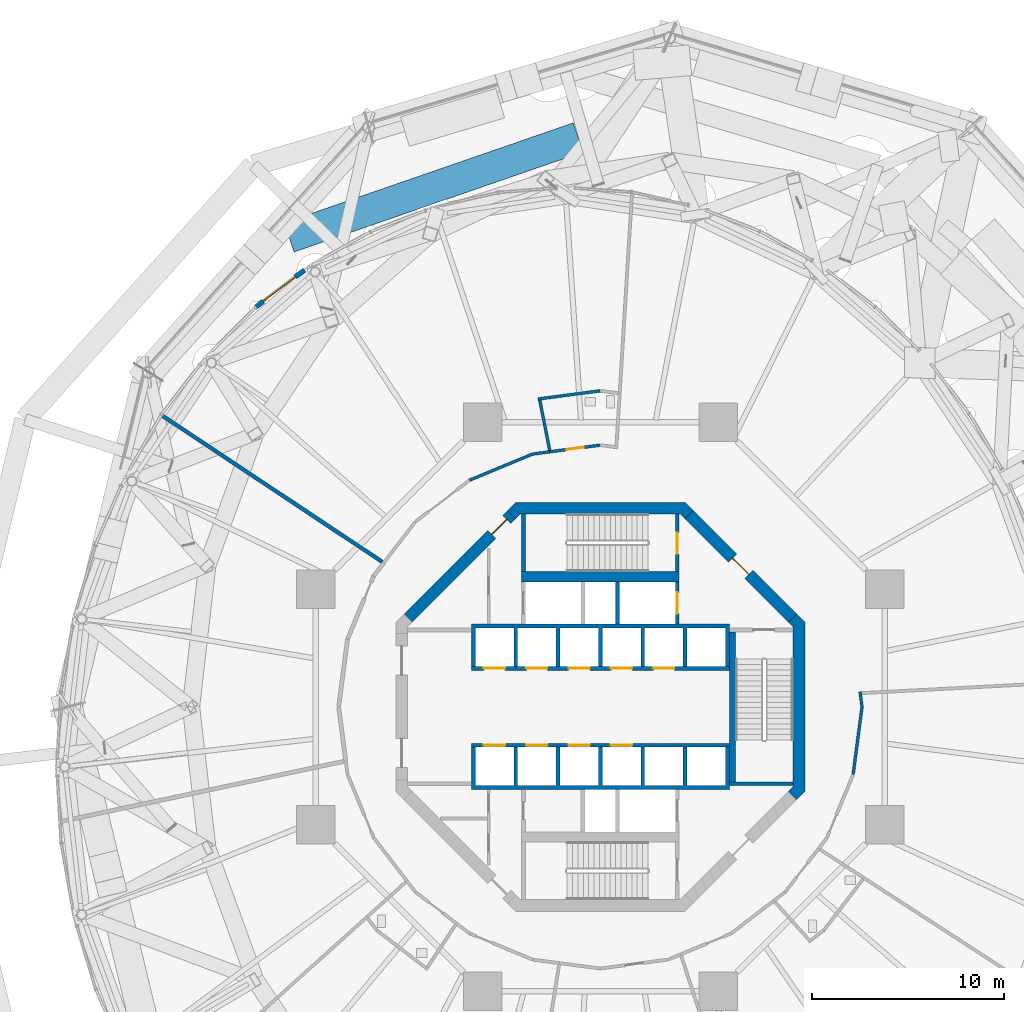
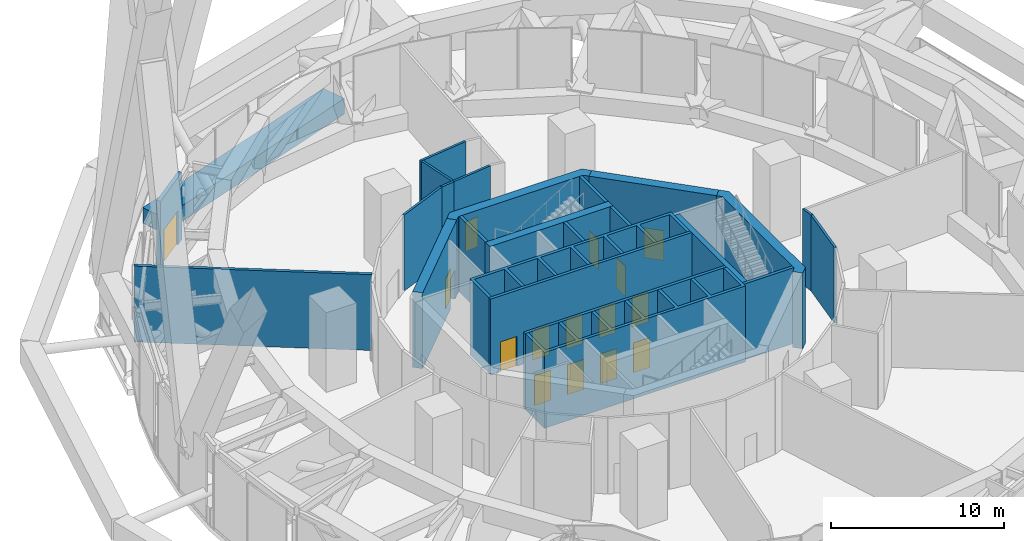
# One storey, part 39 of 49: 25 walls, 15 doors, 15 openings.
"""IFC4 building model written with IfcOpenShell, lengths in metres."""

from ifc_helpers import new_model, si_unit, direction, frame, frame_2d, origin, place, context, subcontext, project, spatial, polyline, rectangle, outline, extrude, material, layer, layer_set, type_object, element, fill, save


model = new_model("IFC4")

# Units and contexts
model_context = context("Model", 3, precision=1e-05, world=origin(), true_north=direction((0.0, 1.0)))
body_context = subcontext(model_context, "Body", "Model", "MODEL_VIEW")
ifc_project = project(units=[si_unit("LENGTHUNIT", "METRE"), si_unit("AREAUNIT", "SQUARE_METRE"), si_unit("VOLUMEUNIT", "CUBIC_METRE"), si_unit("PLANEANGLEUNIT", "RADIAN"), si_unit("MASSUNIT", "GRAM", prefix="KILO")], contexts=[model_context])

# Site, building, storey
site_placement = place(None, origin())
site = spatial("IfcSite", under=ifc_project, at=site_placement, CompositionType="ELEMENT")
building_placement = place(site_placement, origin())
building = spatial("IfcBuilding", under=site, at=building_placement, Name="Nagisa Residences", CompositionType="ELEMENT")
storey_placement = place(building_placement, frame((0.0, 0.0, 160.300048828125)))
storey = spatial("IfcBuildingStorey", under=building, at=storey_placement, Name="L40", CompositionType="ELEMENT", Elevation=160.300048828125)

# Wall, opening, door
ifc_material_1 = material(Name="Precast concrete C40/50", Category="concrete")
ifc_layer_1 = layer(ifc_material_1, 0.25)
ifc_layer_set_1 = layer_set([ifc_layer_1], Name="BALCONY DOOR WALL 250")
wall_type_1 = type_object("IfcWallType", Name="BALCONY DOOR WALL 250", PredefinedType="SOLIDWALL", material=ifc_layer_set_1)
wall_1_placement = place(storey_placement, frame((-17.908203125, 20.77783203125, 0.0), z_axis=(0.0, 0.0, 1.0), x_axis=(0.796015506154, 0.605276229471, 0.0)))
wall_1 = element("IfcWall", 1, at=wall_1_placement, inside=storey, type_object=wall_type_1, Name="wall:L40:bay16", PredefinedType="SOLIDWALL", context=body_context, shape_type="SweptSolid", body=[
    extrude(rectangle(XDim=3.175537109375, YDim=0.25, at=frame_2d((1.587890625, 0.0))), origin(), (0.0, 0.0, 1.0), 4.737060546875),
])
opening_1_placement = place(wall_1_placement, frame((0.48779296875, 0.0, 0.0)))
opening_1 = element("IfcOpeningElement", 2, at=opening_1_placement, cuts=wall_1, Name="Opening BD-L40-01", PredefinedType="OPENING", context=body_context, shape_type="SweptSolid", body=[
    extrude(rectangle(XDim=2.10009765625, YDim=2.39990234375, at=frame_2d((1.050048828125, 1.199951171875))), frame((0.0, 0.135009765625, 0.0), z_axis=(0.0, -1.0, 0.0), x_axis=(1.0, 0.0, 0.0)), (0.0, 0.0, 1.0), 0.27001953125),
])
ifc_material_2 = material(Name="Aluminium and clear glass", Category="aluminium")
door_type_1 = type_object("IfcDoorType", Name="BALCONY SLIDING DOOR 2100x2400", OperationType="SLIDING_TO_LEFT", PredefinedType="DOOR", material=ifc_material_2)
door_1_placement = place(opening_1_placement, origin())
door_1 = element("IfcDoor", 3, at=door_1_placement, inside=storey, type_object=door_type_1, Name="door:L40:bay16", OperationType="SLIDING_TO_LEFT", OverallHeight=2.39990234375, OverallWidth=2.10009765625, PredefinedType="DOOR", context=body_context, shape_type="SweptSolid", body=[
    extrude(rectangle(XDim=2.10009765625, YDim=2.39990234375, at=frame_2d((1.050048828125, 1.199951171875))), frame((0.0, 0.02490234375, 0.0), z_axis=(0.0, -1.0, 0.0), x_axis=(1.0, 0.0, 0.0)), (0.0, 0.0, 1.0), 0.050048828125),
])
fill(opening_1, door_1)

ifc_material_3 = material(Name="Concrete C60", Category="concrete")
ifc_layer_2 = layer(ifc_material_3, 0.60009765625)
ifc_layer_set_2 = layer_set([ifc_layer_2], Name="Core shear wall 600")
wall_type_2 = type_object("IfcWallType", Name="Core shear wall 600", PredefinedType="SHEAR", material=ifc_layer_set_2)
wall_2_placement = place(storey_placement, frame((9.98828125, 4.613037109375, 0.0), z_axis=(0.0, 0.0, 1.0), x_axis=(-0.707106781187, 0.707106781187, 0.0)))
wall_2 = element("IfcWall", 4, at=wall_2_placement, inside=storey, type_object=wall_type_2, Name="wall:L40:core:flat1", PredefinedType="SHEAR", context=body_context, shape_type="SweptSolid", body=[
    extrude(rectangle(XDim=7.601806640625, YDim=0.60009765625, at=frame_2d((3.80078125, 0.0))), origin(), (0.0, 0.0, 1.0), 5.33984375),
])
opening_2_placement = place(wall_2_placement, frame((3.200927734375, 0.0, 0.0)))
opening_2 = element("IfcOpeningElement", 5, at=opening_2_placement, cuts=wall_2, Name="Opening L40-C20", PredefinedType="OPENING", context=body_context, shape_type="SweptSolid", body=[
    extrude(rectangle(XDim=1.199951171875, YDim=2.10009765625, at=frame_2d((0.60009765625, 1.050048828125))), frame((0.0, 0.31005859375, 0.0), z_axis=(0.0, -1.0, 0.0), x_axis=(1.0, 0.0, 0.0)), (0.0, 0.0, 1.0), 0.6201171875),
])
ifc_material_4 = material(Name="Steel fire door", Category="steel")
door_type_2 = type_object("IfcDoorType", Name="Fire door EI60 1200x2100 single swing", OperationType="NOTDEFINED", PredefinedType="DOOR", material=ifc_material_4)
door_2_placement = place(opening_2_placement, origin())
door_2 = element("IfcDoor", 6, at=door_2_placement, inside=storey, type_object=door_type_2, Name="Firefighting lobby 1 door L40", OperationType="SINGLE_SWING_LEFT", OverallHeight=2.10009765625, OverallWidth=1.199951171875, PredefinedType="DOOR", context=body_context, shape_type="SweptSolid", body=[
    extrude(rectangle(XDim=1.199951171875, YDim=2.10009765625, at=frame_2d((0.60009765625, 1.050048828125))), frame((0.0, 0.02490234375, 0.0), z_axis=(0.0, -1.0, 0.0), x_axis=(1.0, 0.0, 0.0)), (0.0, 0.0, 1.0), 0.050048828125),
])
fill(opening_2, door_2)

wall_3_placement = place(storey_placement, frame((-4.613037109375, 9.98828125, 0.0), z_axis=(0.0, 0.0, 1.0), x_axis=(-0.707106781187, -0.707106781187, 0.0)))
wall_3 = element("IfcWall", 7, at=wall_3_placement, inside=storey, type_object=wall_type_2, Name="wall:L40:core:flat3", PredefinedType="SHEAR", context=body_context, shape_type="SweptSolid", body=[
    extrude(rectangle(XDim=7.601806640625, YDim=0.60009765625, at=frame_2d((3.80078125, 0.0))), origin(), (0.0, 0.0, 1.0), 5.33984375),
])
opening_3_placement = place(wall_3_placement, frame((0.350830078125, 0.0, 0.0)))
opening_3 = element("IfcOpeningElement", 8, at=opening_3_placement, cuts=wall_3, Name="Opening L40-C24", PredefinedType="OPENING", context=body_context, shape_type="SweptSolid", body=[
    extrude(rectangle(XDim=1.10009765625, YDim=2.10009765625, at=frame_2d((0.550048828125, 1.050048828125))), frame((0.0, 0.31005859375, 0.0), z_axis=(0.0, -1.0, 0.0), x_axis=(1.0, 0.0, 0.0)), (0.0, 0.0, 1.0), 0.6201171875),
])
ifc_material_5 = material(Name="Steel fire door", Category="steel")
door_type_3 = type_object("IfcDoorType", Name="Fire door EI60 1100x2100 single swing", OperationType="NOTDEFINED", PredefinedType="DOOR", material=ifc_material_5)
door_3_placement = place(opening_3_placement, origin())
door_3 = element("IfcDoor", 9, at=door_3_placement, inside=storey, type_object=door_type_3, Name="Service lobby door L40", OperationType="SINGLE_SWING_LEFT", OverallHeight=2.10009765625, OverallWidth=1.10009765625, PredefinedType="DOOR", context=body_context, shape_type="SweptSolid", body=[
    extrude(rectangle(XDim=1.10009765625, YDim=2.10009765625, at=frame_2d((0.550048828125, 1.050048828125))), frame((0.0, 0.02490234375, 0.0), z_axis=(0.0, -1.0, 0.0), x_axis=(1.0, 0.0, 0.0)), (0.0, 0.0, 1.0), 0.050048828125),
])
fill(opening_3, door_3)

# Walls
wall_4_placement = place(storey_placement, origin())
element("IfcWall", 10, at=wall_4_placement, inside=storey, type_object=wall_type_2, Name="wall:L40:core:flat2", PredefinedType="SHEAR", context=body_context, shape_type="SweptSolid", body=[
    extrude(outline(polyline([(-4.15234375, 10.024658203125), (-4.40087890625, 9.776123046875), (-4.8251953125, 10.200439453125), (-4.40087890625, 10.62451171875), (4.40087890625, 10.62451171875), (4.8251953125, 10.200439453125), (4.40087890625, 9.776123046875), (4.15234375, 10.024658203125), (-4.15234375, 10.024658203125)])), origin(), (0.0, 0.0, 1.0), 5.33984375),
])
wall_5_placement = place(storey_placement, origin())
element("IfcWall", 11, at=wall_5_placement, inside=storey, type_object=wall_type_2, Name="wall:L40:core:flat0", PredefinedType="SHEAR", context=body_context, shape_type="SweptSolid", body=[
    extrude(outline(polyline([(9.776123046875, -4.40087890625), (10.024658203125, -4.15234375), (10.024658203125, -3.801025390625), (10.024658203125, 4.15234375), (9.776123046875, 4.40087890625), (10.200439453125, 4.8251953125), (10.62451171875, 4.40087890625), (10.62451171875, -4.40087890625), (10.200439453125, -4.8251953125), (9.776123046875, -4.40087890625)])), origin(), (0.0, 0.0, 1.0), 5.33984375),
])

# Wall, opening, door
ifc_material_6 = material(Name="Concrete C60", Category="concrete")
ifc_layer_3 = layer(ifc_material_6, 0.199951171875)
ifc_layer_set_3 = layer_set([ifc_layer_3], Name="Lift shaft wall 200")
wall_type_3 = type_object("IfcWallType", Name="Lift shaft wall 200", PredefinedType="SOLIDWALL", material=ifc_layer_set_3)
wall_6_placement = place(storey_placement, frame((4.0, 4.300048828125, 0.0), z_axis=(0.0, 0.0, 1.0), x_axis=(0.0, 1.0, 0.0)))
wall_6 = element("IfcWall", 12, at=wall_6_placement, inside=storey, type_object=wall_type_3, Name="wall:L40:Nb3", PredefinedType="SOLIDWALL", context=body_context, shape_type="SweptSolid", body=[
    extrude(rectangle(XDim=2.199951171875, YDim=0.199951171875, at=frame_2d((1.10009765625, 0.0))), origin(), (0.0, 0.0, 1.0), 5.33984375),
])
opening_4_placement = place(wall_6_placement, frame((0.550048828125, 0.0, 0.0)))
opening_4 = element("IfcOpeningElement", 13, at=opening_4_placement, cuts=wall_6, Name="Opening L40-C10", PredefinedType="OPENING", context=body_context, shape_type="SweptSolid", body=[
    extrude(rectangle(XDim=1.10009765625, YDim=2.10009765625, at=frame_2d((0.550048828125, 1.050048828125))), frame((0.0, 0.10986328125, 0.0), z_axis=(0.0, -1.0, 0.0), x_axis=(1.0, 0.0, 0.0)), (0.0, 0.0, 1.0), 0.219970703125),
])
ifc_material_7 = material(Name="Stainless steel", Category="steel")
door_type_4 = type_object("IfcDoorType", Name="Lift landing door 1100x2100", OperationType="DOUBLE_DOOR_SLIDING", PredefinedType="DOOR", material=ifc_material_7)
door_4_placement = place(opening_4_placement, origin())
door_4 = element("IfcDoor", 14, at=door_4_placement, inside=storey, type_object=door_type_4, Name="Landing door FL1 L40", OperationType="DOUBLE_DOOR_SLIDING", OverallHeight=2.10009765625, OverallWidth=1.10009765625, PredefinedType="DOOR", context=body_context, shape_type="SweptSolid", body=[
    extrude(rectangle(XDim=1.10009765625, YDim=2.10009765625, at=frame_2d((0.550048828125, 1.050048828125))), frame((0.0, 0.02490234375, 0.0), z_axis=(0.0, -1.0, 0.0), x_axis=(1.0, 0.0, 0.0)), (0.0, 0.0, 1.0), 0.050048828125),
])
fill(opening_4, door_4)

# Wall, openings, doors
wall_7_placement = place(storey_placement, frame((-6.699951171875, 2.0, 0.0), z_axis=(0.0, 0.0, 1.0), x_axis=(1.0, 0.0, 0.0)))
wall_7 = element("IfcWall", 15, at=wall_7_placement, inside=storey, type_object=wall_type_3, Name="wall:L40:Nfront", PredefinedType="SOLIDWALL", context=body_context, shape_type="SweptSolid", body=[
    extrude(rectangle(XDim=13.39990234375, YDim=0.199951171875, at=frame_2d((6.699951171875, 0.0))), origin(), (0.0, 0.0, 1.0), 5.33984375),
])
opening_5_placement = place(wall_7_placement, frame((0.64990234375, 0.0, 0.0)))
opening_5 = element("IfcOpeningElement", 16, at=opening_5_placement, cuts=wall_7, Name="Opening L40-C01", PredefinedType="OPENING", context=body_context, shape_type="SweptSolid", body=[
    extrude(rectangle(XDim=1.10009765625, YDim=2.10009765625, at=frame_2d((0.550048828125, 1.050048828125))), frame((0.0, 0.10986328125, 0.0), z_axis=(0.0, -1.0, 0.0), x_axis=(1.0, 0.0, 0.0)), (0.0, 0.0, 1.0), 0.219970703125),
])
opening_6_placement = place(wall_7_placement, frame((2.85009765625, 0.0, 0.0)))
opening_6 = element("IfcOpeningElement", 17, at=opening_6_placement, cuts=wall_7, Name="Opening L40-C02", PredefinedType="OPENING", context=body_context, shape_type="SweptSolid", body=[
    extrude(rectangle(XDim=1.10009765625, YDim=2.10009765625, at=frame_2d((0.550048828125, 1.050048828125))), frame((0.0, 0.10986328125, 0.0), z_axis=(0.0, -1.0, 0.0), x_axis=(1.0, 0.0, 0.0)), (0.0, 0.0, 1.0), 0.219970703125),
])
opening_7_placement = place(wall_7_placement, frame((5.050048828125, 0.0, 0.0)))
opening_7 = element("IfcOpeningElement", 18, at=opening_7_placement, cuts=wall_7, Name="Opening L40-C03", PredefinedType="OPENING", context=body_context, shape_type="SweptSolid", body=[
    extrude(rectangle(XDim=1.10009765625, YDim=2.10009765625, at=frame_2d((0.550048828125, 1.050048828125))), frame((0.0, 0.10986328125, 0.0), z_axis=(0.0, -1.0, 0.0), x_axis=(1.0, 0.0, 0.0)), (0.0, 0.0, 1.0), 0.219970703125),
])
opening_8_placement = place(wall_7_placement, frame((7.25, 0.0, 0.0)))
opening_8 = element("IfcOpeningElement", 19, at=opening_8_placement, cuts=wall_7, Name="Opening L40-C04", PredefinedType="OPENING", context=body_context, shape_type="SweptSolid", body=[
    extrude(rectangle(XDim=1.10009765625, YDim=2.10009765625, at=frame_2d((0.550048828125, 1.050048828125))), frame((0.0, 0.10986328125, 0.0), z_axis=(0.0, -1.0, 0.0), x_axis=(1.0, 0.0, 0.0)), (0.0, 0.0, 1.0), 0.219970703125),
])
opening_9_placement = place(wall_7_placement, frame((9.449951171875, 0.0, 0.0)))
opening_9 = element("IfcOpeningElement", 20, at=opening_9_placement, cuts=wall_7, Name="Opening L40-C05", PredefinedType="OPENING", context=body_context, shape_type="SweptSolid", body=[
    extrude(rectangle(XDim=1.10009765625, YDim=2.10009765625, at=frame_2d((0.550048828125, 1.050048828125))), frame((0.0, 0.10986328125, 0.0), z_axis=(0.0, -1.0, 0.0), x_axis=(1.0, 0.0, 0.0)), (0.0, 0.0, 1.0), 0.219970703125),
])
door_5_placement = place(opening_5_placement, origin())
door_5 = element("IfcDoor", 21, at=door_5_placement, inside=storey, type_object=door_type_4, Name="Landing door A1 L40", OperationType="DOUBLE_DOOR_SLIDING", OverallHeight=2.10009765625, OverallWidth=1.10009765625, PredefinedType="DOOR", context=body_context, shape_type="SweptSolid", body=[
    extrude(rectangle(XDim=1.10009765625, YDim=2.10009765625, at=frame_2d((0.550048828125, 1.050048828125))), frame((0.0, 0.02490234375, 0.0), z_axis=(0.0, -1.0, 0.0), x_axis=(1.0, 0.0, 0.0)), (0.0, 0.0, 1.0), 0.050048828125),
])
fill(opening_5, door_5)
door_6_placement = place(opening_6_placement, origin())
door_6 = element("IfcDoor", 22, at=door_6_placement, inside=storey, type_object=door_type_4, Name="Landing door A2 L40", OperationType="DOUBLE_DOOR_SLIDING", OverallHeight=2.10009765625, OverallWidth=1.10009765625, PredefinedType="DOOR", context=body_context, shape_type="SweptSolid", body=[
    extrude(rectangle(XDim=1.10009765625, YDim=2.10009765625, at=frame_2d((0.550048828125, 1.050048828125))), frame((0.0, 0.02490234375, 0.0), z_axis=(0.0, -1.0, 0.0), x_axis=(1.0, 0.0, 0.0)), (0.0, 0.0, 1.0), 0.050048828125),
])
fill(opening_6, door_6)
door_7_placement = place(opening_7_placement, origin())
door_7 = element("IfcDoor", 23, at=door_7_placement, inside=storey, type_object=door_type_4, Name="Landing door A3 L40", OperationType="DOUBLE_DOOR_SLIDING", OverallHeight=2.10009765625, OverallWidth=1.10009765625, PredefinedType="DOOR", context=body_context, shape_type="SweptSolid", body=[
    extrude(rectangle(XDim=1.10009765625, YDim=2.10009765625, at=frame_2d((0.550048828125, 1.050048828125))), frame((0.0, 0.02490234375, 0.0), z_axis=(0.0, -1.0, 0.0), x_axis=(1.0, 0.0, 0.0)), (0.0, 0.0, 1.0), 0.050048828125),
])
fill(opening_7, door_7)
door_8_placement = place(opening_8_placement, origin())
door_8 = element("IfcDoor", 24, at=door_8_placement, inside=storey, type_object=door_type_4, Name="Landing door B1 L40", OperationType="DOUBLE_DOOR_SLIDING", OverallHeight=2.10009765625, OverallWidth=1.10009765625, PredefinedType="DOOR", context=body_context, shape_type="SweptSolid", body=[
    extrude(rectangle(XDim=1.10009765625, YDim=2.10009765625, at=frame_2d((0.550048828125, 1.050048828125))), frame((0.0, 0.02490234375, 0.0), z_axis=(0.0, -1.0, 0.0), x_axis=(1.0, 0.0, 0.0)), (0.0, 0.0, 1.0), 0.050048828125),
])
fill(opening_8, door_8)
door_9_placement = place(opening_9_placement, origin())
door_9 = element("IfcDoor", 25, at=door_9_placement, inside=storey, type_object=door_type_4, Name="Landing door B2 L40", OperationType="DOUBLE_DOOR_SLIDING", OverallHeight=2.10009765625, OverallWidth=1.10009765625, PredefinedType="DOOR", context=body_context, shape_type="SweptSolid", body=[
    extrude(rectangle(XDim=1.10009765625, YDim=2.10009765625, at=frame_2d((0.550048828125, 1.050048828125))), frame((0.0, 0.02490234375, 0.0), z_axis=(0.0, -1.0, 0.0), x_axis=(1.0, 0.0, 0.0)), (0.0, 0.0, 1.0), 0.050048828125),
])
fill(opening_9, door_9)

wall_8_placement = place(storey_placement, frame((-6.699951171875, -2.0, 0.0), z_axis=(0.0, 0.0, 1.0), x_axis=(1.0, 0.0, 0.0)))
wall_8 = element("IfcWall", 26, at=wall_8_placement, inside=storey, type_object=wall_type_3, Name="wall:L40:Sfront", PredefinedType="SOLIDWALL", context=body_context, shape_type="SweptSolid", body=[
    extrude(rectangle(XDim=13.39990234375, YDim=0.199951171875, at=frame_2d((6.699951171875, 0.0))), origin(), (0.0, 0.0, 1.0), 5.33984375),
])
opening_10_placement = place(wall_8_placement, frame((0.64990234375, 0.0, 0.0)))
opening_10 = element("IfcOpeningElement", 27, at=opening_10_placement, cuts=wall_8, Name="Opening L40-C06", PredefinedType="OPENING", context=body_context, shape_type="SweptSolid", body=[
    extrude(rectangle(XDim=1.10009765625, YDim=2.10009765625, at=frame_2d((0.550048828125, 1.050048828125))), frame((0.0, 0.10986328125, 0.0), z_axis=(0.0, -1.0, 0.0), x_axis=(1.0, 0.0, 0.0)), (0.0, 0.0, 1.0), 0.219970703125),
])
opening_11_placement = place(wall_8_placement, frame((2.85009765625, 0.0, 0.0)))
opening_11 = element("IfcOpeningElement", 28, at=opening_11_placement, cuts=wall_8, Name="Opening L40-C07", PredefinedType="OPENING", context=body_context, shape_type="SweptSolid", body=[
    extrude(rectangle(XDim=1.10009765625, YDim=2.10009765625, at=frame_2d((0.550048828125, 1.050048828125))), frame((0.0, 0.10986328125, 0.0), z_axis=(0.0, -1.0, 0.0), x_axis=(1.0, 0.0, 0.0)), (0.0, 0.0, 1.0), 0.219970703125),
])
opening_12_placement = place(wall_8_placement, frame((5.050048828125, 0.0, 0.0)))
opening_12 = element("IfcOpeningElement", 29, at=opening_12_placement, cuts=wall_8, Name="Opening L40-C08", PredefinedType="OPENING", context=body_context, shape_type="SweptSolid", body=[
    extrude(rectangle(XDim=1.10009765625, YDim=2.10009765625, at=frame_2d((0.550048828125, 1.050048828125))), frame((0.0, 0.10986328125, 0.0), z_axis=(0.0, -1.0, 0.0), x_axis=(1.0, 0.0, 0.0)), (0.0, 0.0, 1.0), 0.219970703125),
])
opening_13_placement = place(wall_8_placement, frame((7.25, 0.0, 0.0)))
opening_13 = element("IfcOpeningElement", 30, at=opening_13_placement, cuts=wall_8, Name="Opening L40-C09", PredefinedType="OPENING", context=body_context, shape_type="SweptSolid", body=[
    extrude(rectangle(XDim=1.10009765625, YDim=2.10009765625, at=frame_2d((0.550048828125, 1.050048828125))), frame((0.0, 0.10986328125, 0.0), z_axis=(0.0, -1.0, 0.0), x_axis=(1.0, 0.0, 0.0)), (0.0, 0.0, 1.0), 0.219970703125),
])
door_10_placement = place(opening_10_placement, origin())
door_10 = element("IfcDoor", 31, at=door_10_placement, inside=storey, type_object=door_type_4, Name="Landing door A4 L40", OperationType="DOUBLE_DOOR_SLIDING", OverallHeight=2.10009765625, OverallWidth=1.10009765625, PredefinedType="DOOR", context=body_context, shape_type="SweptSolid", body=[
    extrude(rectangle(XDim=1.10009765625, YDim=2.10009765625, at=frame_2d((0.550048828125, 1.050048828125))), frame((0.0, 0.02490234375, 0.0), z_axis=(0.0, -1.0, 0.0), x_axis=(1.0, 0.0, 0.0)), (0.0, 0.0, 1.0), 0.050048828125),
])
fill(opening_10, door_10)
door_11_placement = place(opening_11_placement, origin())
door_11 = element("IfcDoor", 32, at=door_11_placement, inside=storey, type_object=door_type_4, Name="Landing door A5 L40", OperationType="DOUBLE_DOOR_SLIDING", OverallHeight=2.10009765625, OverallWidth=1.10009765625, PredefinedType="DOOR", context=body_context, shape_type="SweptSolid", body=[
    extrude(rectangle(XDim=1.10009765625, YDim=2.10009765625, at=frame_2d((0.550048828125, 1.050048828125))), frame((0.0, 0.02490234375, 0.0), z_axis=(0.0, -1.0, 0.0), x_axis=(1.0, 0.0, 0.0)), (0.0, 0.0, 1.0), 0.050048828125),
])
fill(opening_11, door_11)
door_12_placement = place(opening_12_placement, origin())
door_12 = element("IfcDoor", 33, at=door_12_placement, inside=storey, type_object=door_type_4, Name="Landing door B3 L40", OperationType="DOUBLE_DOOR_SLIDING", OverallHeight=2.10009765625, OverallWidth=1.10009765625, PredefinedType="DOOR", context=body_context, shape_type="SweptSolid", body=[
    extrude(rectangle(XDim=1.10009765625, YDim=2.10009765625, at=frame_2d((0.550048828125, 1.050048828125))), frame((0.0, 0.02490234375, 0.0), z_axis=(0.0, -1.0, 0.0), x_axis=(1.0, 0.0, 0.0)), (0.0, 0.0, 1.0), 0.050048828125),
])
fill(opening_12, door_12)
door_13_placement = place(opening_13_placement, origin())
door_13 = element("IfcDoor", 34, at=door_13_placement, inside=storey, type_object=door_type_4, Name="Landing door B4 L40", OperationType="DOUBLE_DOOR_SLIDING", OverallHeight=2.10009765625, OverallWidth=1.10009765625, PredefinedType="DOOR", context=body_context, shape_type="SweptSolid", body=[
    extrude(rectangle(XDim=1.10009765625, YDim=2.10009765625, at=frame_2d((0.550048828125, 1.050048828125))), frame((0.0, 0.02490234375, 0.0), z_axis=(0.0, -1.0, 0.0), x_axis=(1.0, 0.0, 0.0)), (0.0, 0.0, 1.0), 0.050048828125),
])
fill(opening_13, door_13)

# Walls
wall_9_placement = place(storey_placement, origin())
element("IfcWall", 35, at=wall_9_placement, inside=storey, type_object=wall_type_3, Name="wall:L40:Sback", PredefinedType="SOLIDWALL", context=body_context, shape_type="SweptSolid", body=[
    extrude(outline(polyline([(-6.699951171875, -2.10009765625), (-6.5, -2.10009765625), (-6.5, -4.10009765625), (-4.5, -4.10009765625), (-4.5, -2.10009765625), (-4.300048828125, -2.10009765625), (-4.300048828125, -4.10009765625), (-2.300048828125, -4.10009765625), (-2.300048828125, -2.10009765625), (-2.10009765625, -2.10009765625), (-2.10009765625, -4.10009765625), (-0.10009765625, -4.10009765625), (-0.10009765625, -2.10009765625), (0.10009765625, -2.10009765625), (0.10009765625, -4.10009765625), (2.10009765625, -4.10009765625), (2.10009765625, -2.10009765625), (2.300048828125, -2.10009765625), (2.300048828125, -4.10009765625), (4.300048828125, -4.10009765625), (4.300048828125, -2.10009765625), (4.5, -2.10009765625), (4.5, -4.10009765625), (6.5, -4.10009765625), (6.5, -2.10009765625), (6.699951171875, -2.10009765625), (6.699951171875, -4.300048828125), (-6.699951171875, -4.300048828125), (-6.699951171875, -2.10009765625)])), origin(), (0.0, 0.0, 1.0), 5.33984375),
])
wall_10_placement = place(storey_placement, frame((0.89990234375, 4.300048828125, 0.0), z_axis=(0.0, 0.0, 1.0), x_axis=(0.0, 1.0, 0.0)))
element("IfcWall", 36, at=wall_10_placement, inside=storey, type_object=wall_type_3, Name="wall:L40:Nb2", PredefinedType="SOLIDWALL", context=body_context, shape_type="SweptSolid", body=[
    extrude(rectangle(XDim=2.199951171875, YDim=0.199951171875, at=frame_2d((1.10009765625, 0.0))), origin(), (0.0, 0.0, 1.0), 5.33984375),
])
wall_11_placement = place(storey_placement, origin())
element("IfcWall", 37, at=wall_11_placement, inside=storey, type_object=wall_type_3, Name="wall:L40:Nback", PredefinedType="SOLIDWALL", context=body_context, shape_type="SweptSolid", body=[
    extrude(outline(polyline([(-6.5, 2.10009765625), (-6.699951171875, 2.10009765625), (-6.699951171875, 4.300048828125), (6.699951171875, 4.300048828125), (6.699951171875, 2.10009765625), (6.5, 2.10009765625), (6.5, 4.10009765625), (4.5, 4.10009765625), (4.5, 2.10009765625), (4.300048828125, 2.10009765625), (4.300048828125, 4.10009765625), (2.300048828125, 4.10009765625), (2.300048828125, 2.10009765625), (2.10009765625, 2.10009765625), (2.10009765625, 4.10009765625), (0.10009765625, 4.10009765625), (0.10009765625, 2.10009765625), (-0.10009765625, 2.10009765625), (-0.10009765625, 4.10009765625), (-2.10009765625, 4.10009765625), (-2.10009765625, 2.10009765625), (-2.300048828125, 2.10009765625), (-2.300048828125, 4.10009765625), (-4.300048828125, 4.10009765625), (-4.300048828125, 2.10009765625), (-4.5, 2.10009765625), (-4.5, 4.10009765625), (-6.5, 4.10009765625), (-6.5, 2.10009765625)])), origin(), (0.0, 0.0, 1.0), 5.33984375),
])
ifc_material_8 = material(Name="Precast concrete C30/37", Category="concrete")
ifc_layer_4 = layer(ifc_material_8, 1.60009765625)
ifc_layer_set_4 = layer_set([ifc_layer_4], Name="PLANTER")
wall_type_4 = type_object("IfcWallType", Name="PLANTER", PredefinedType="SOLIDWALL", material=ifc_layer_set_4)
wall_12_placement = place(storey_placement, frame((-1.149658203125, 29.591064453125, 0.0), z_axis=(0.0, 0.0, 1.0), x_axis=(-0.945083898626, -0.326827820967, 0.0)))
element("IfcWall", 38, at=wall_12_placement, inside=storey, type_object=wall_type_4, Name="planter:L40:deck002", PredefinedType="SOLIDWALL", context=body_context, shape_type="SweptSolid", body=[
    extrude(rectangle(XDim=15.89697265625, YDim=1.60009765625, at=frame_2d((7.948486328125, 0.0))), origin(), (0.0, 0.0, 1.0), 1.099853515625),
])
ifc_material_9 = material(Name="Gypsum board on steel studs", Category="steel")
ifc_layer_5 = layer(ifc_material_9, 0.199951171875)
ifc_layer_set_5 = layer_set([ifc_layer_5], Name="Plant room wall EI120 200")
wall_type_5 = type_object("IfcWallType", Name="Plant room wall EI120 200", PredefinedType="PARTITIONING", material=ifc_layer_set_5)
wall_13_placement = place(storey_placement, frame((-11.338623046875, 7.536865234375, 0.0), z_axis=(0.0, 0.0, 1.0), x_axis=(-0.832816424089, 0.553549278536, 0.0)))
element("IfcWall", 39, at=wall_13_placement, inside=storey, type_object=wall_type_5, Name="wall:L40:am048", PredefinedType="PARTITIONING", context=body_context, shape_type="SweptSolid", body=[
    extrude(rectangle(XDim=13.761962890625, YDim=0.199951171875, at=frame_2d((6.880859375, 0.0))), origin(), (0.0, 0.0, 1.0), 5.33984375),
])
ifc_material_10 = material(Name="Gypsum board on steel studs", Category="steel")
ifc_layer_6 = layer(ifc_material_10, 0.14990234375)
ifc_layer_set_6 = layer_set([ifc_layer_6], Name="Room partition EI60 150")
wall_type_6 = type_object("IfcWallType", Name="Room partition EI60 150", PredefinedType="PARTITIONING", material=ifc_layer_set_6)
wall_14_placement = place(storey_placement, frame((-6.7890625, 11.782470703125, 0.0), z_axis=(0.0, 0.0, 1.0), x_axis=(0.923881838111, 0.382677866108, 0.0)))
element("IfcWall", 40, at=wall_14_placement, inside=storey, type_object=wall_type_6, Name="wall:L40:am013", PredefinedType="PARTITIONING", context=body_context, shape_type="SweptSolid", body=[
    extrude(rectangle(XDim=3.52685546875, YDim=0.14990234375, at=frame_2d((1.763427734375, 0.0))), origin(), (0.0, 0.0, 1.0), 5.33984375),
])
wall_15_placement = place(storey_placement, frame((-3.508056640625, 13.13818359375, 0.0), z_axis=(0.0, 0.0, 1.0), x_axis=(0.991445037541, 0.130524854092, 0.0)))
element("IfcWall", 41, at=wall_15_placement, inside=storey, type_object=wall_type_6, Name="wall:L40:am015", PredefinedType="PARTITIONING", context=body_context, shape_type="SweptSolid", body=[
    extrude(rectangle(XDim=0.897705078125, YDim=0.14990234375, at=frame_2d((0.44873046875, 0.0))), origin(), (0.0, 0.0, 1.0), 5.33984375),
])
wall_16_placement = place(storey_placement, frame((-3.23583984375, 15.998291015625, 0.0), z_axis=(0.0, 0.0, 1.0), x_axis=(0.991450717699, 0.130481701299, 0.0)))
element("IfcWall", 42, at=wall_16_placement, inside=storey, type_object=wall_type_6, Name="wall:L40:am016", PredefinedType="PARTITIONING", context=body_context, shape_type="SweptSolid", body=[
    extrude(rectangle(XDim=3.251953125, YDim=0.14990234375, at=frame_2d((1.6259765625, 0.0))), origin(), (0.0, 0.0, 1.0), 5.33984375),
])
wall_17_placement = place(storey_placement, frame((-2.63232421875, 13.3291015625, 0.0), z_axis=(0.0, 0.0, 1.0), x_axis=(-0.193711042063, 0.981058628311, 0.0)))
element("IfcWall", 43, at=wall_17_placement, inside=storey, type_object=wall_type_6, Name="wall:L40:am017", PredefinedType="PARTITIONING", context=body_context, shape_type="SweptSolid", body=[
    extrude(rectangle(XDim=2.655517578125, YDim=0.14990234375, at=frame_2d((1.32763671875, 0.0))), origin(), (0.0, 0.0, 1.0), 5.33984375),
])

# Wall, opening, door
wall_18_placement = place(storey_placement, frame((-2.617919921875, 13.25537109375, 0.0), z_axis=(0.0, 0.0, 1.0), x_axis=(0.991449553099, 0.13049055008, 0.0)))
wall_18 = element("IfcWall", 44, at=wall_18_placement, inside=storey, type_object=wall_type_6, Name="wall:L40:am018", PredefinedType="PARTITIONING", context=body_context, shape_type="SweptSolid", body=[
    extrude(rectangle(XDim=2.628662109375, YDim=0.14990234375, at=frame_2d((1.314453125, 0.0))), origin(), (0.0, 0.0, 1.0), 5.33984375),
])
opening_14_placement = place(wall_18_placement, frame((0.8701171875, 0.0, 0.0)))
opening_14 = element("IfcOpeningElement", 45, at=opening_14_placement, cuts=wall_18, Name="Opening L40-A01", PredefinedType="OPENING", context=body_context, shape_type="SweptSolid", body=[
    extrude(rectangle(XDim=0.89990234375, YDim=2.10009765625, at=frame_2d((0.449951171875, 1.050048828125))), frame((0.0, 0.0849609375, 0.0), z_axis=(0.0, -1.0, 0.0), x_axis=(1.0, 0.0, 0.0)), (0.0, 0.0, 1.0), 0.169921875),
])
ifc_material_11 = material(Name="Steel fire door", Category="steel")
door_type_5 = type_object("IfcDoorType", Name="Fire door EI30 900x2100 single swing", OperationType="NOTDEFINED", PredefinedType="DOOR", material=ifc_material_11)
door_14_placement = place(opening_14_placement, origin())
door_14 = element("IfcDoor", 46, at=door_14_placement, inside=storey, type_object=door_type_5, Name="Accessible WC door", OperationType="SINGLE_SWING_LEFT", OverallHeight=2.10009765625, OverallWidth=0.89990234375, PredefinedType="DOOR", context=body_context, shape_type="SweptSolid", body=[
    extrude(rectangle(XDim=0.89990234375, YDim=2.10009765625, at=frame_2d((0.449951171875, 1.050048828125))), frame((0.0, 0.02490234375, 0.0), z_axis=(0.0, -1.0, 0.0), x_axis=(1.0, 0.0, 0.0)), (0.0, 0.0, 1.0), 0.050048828125),
])
fill(opening_14, door_14)

# Walls
wall_19_placement = place(storey_placement, frame((13.4970703125, 0.782470703125, 0.0), z_axis=(0.0, 0.0, 1.0), x_axis=(0.130332652421, -0.991470322154, 0.0)))
element("IfcWall", 47, at=wall_19_placement, inside=storey, type_object=wall_type_6, Name="wall:L40:am038", PredefinedType="PARTITIONING", context=body_context, shape_type="SweptSolid", body=[
    extrude(rectangle(XDim=0.77734375, YDim=0.14990234375, at=frame_2d((0.388671875, 0.0))), origin(), (0.0, 0.0, 1.0), 5.33984375),
])
wall_20_placement = place(storey_placement, frame((13.598388671875, -0.01171875, 0.0), z_axis=(0.0, 0.0, 1.0), x_axis=(-0.130499283623, -0.991448403586, 0.0)))
element("IfcWall", 48, at=wall_20_placement, inside=storey, type_object=wall_type_6, Name="wall:L40:am039", PredefinedType="PARTITIONING", context=body_context, shape_type="SweptSolid", body=[
    extrude(rectangle(XDim=3.526611328125, YDim=0.14990234375, at=frame_2d((1.76318359375, 0.0))), origin(), (0.0, 0.0, 1.0), 5.33984375),
])

# Wall, opening, door
ifc_material_12 = material(Name="Concrete C60", Category="concrete")
ifc_layer_7 = layer(ifc_material_12, 0.199951171875)
ifc_layer_set_7 = layer_set([ifc_layer_7], Name="Stair enclosure wall 200")
wall_type_7 = type_object("IfcWallType", Name="Stair enclosure wall 200", PredefinedType="SOLIDWALL", material=ifc_layer_set_7)
wall_21_placement = place(storey_placement, frame((4.0, 7.024658203125, 0.0), z_axis=(0.0, 0.0, 1.0), x_axis=(0.0, 1.0, 0.0)))
wall_21 = element("IfcWall", 49, at=wall_21_placement, inside=storey, type_object=wall_type_7, Name="wall:L40:SN_e", PredefinedType="SOLIDWALL", context=body_context, shape_type="SweptSolid", body=[
    extrude(rectangle(XDim=3.0, YDim=0.199951171875, at=frame_2d((1.5, 0.0))), origin(), (0.0, 0.0, 1.0), 5.33984375),
])
opening_15_placement = place(wall_21_placement, frame((0.92529296875, 0.0, 0.0)))
opening_15 = element("IfcOpeningElement", 50, at=opening_15_placement, cuts=wall_21, Name="Opening L40-C14", PredefinedType="OPENING", context=body_context, shape_type="SweptSolid", body=[
    extrude(rectangle(XDim=1.10009765625, YDim=2.10009765625, at=frame_2d((0.550048828125, 1.050048828125))), frame((0.0, 0.10986328125, 0.0), z_axis=(0.0, -1.0, 0.0), x_axis=(1.0, 0.0, 0.0)), (0.0, 0.0, 1.0), 0.219970703125),
])
ifc_material_13 = material(Name="Steel fire door", Category="steel")
door_type_6 = type_object("IfcDoorType", Name="Fire door EI90 1100x2100 single swing", OperationType="NOTDEFINED", PredefinedType="DOOR", material=ifc_material_13)
door_15_placement = place(opening_15_placement, origin())
door_15 = element("IfcDoor", 51, at=door_15_placement, inside=storey, type_object=door_type_6, Name="Stair door ST-N L40", OperationType="SINGLE_SWING_RIGHT", OverallHeight=2.10009765625, OverallWidth=1.10009765625, PredefinedType="DOOR", context=body_context, shape_type="SweptSolid", body=[
    extrude(rectangle(XDim=1.10009765625, YDim=2.10009765625, at=frame_2d((0.550048828125, 1.050048828125))), frame((0.0, 0.02490234375, 0.0), z_axis=(0.0, -1.0, 0.0), x_axis=(1.0, 0.0, 0.0)), (0.0, 0.0, 1.0), 0.050048828125),
])
fill(opening_15, door_15)

# Walls
wall_22_placement = place(storey_placement, origin())
element("IfcWall", 52, at=wall_22_placement, inside=storey, type_object=wall_type_7, Name="wall:L40:SN_w", PredefinedType="SOLIDWALL", context=body_context, shape_type="SweptSolid", body=[
    extrude(outline(polyline([(-3.89990234375, 7.024658203125), (-4.10009765625, 7.024658203125), (-4.10009765625, 10.024658203125), (-3.89990234375, 10.024658203125), (-3.89990234375, 7.024658203125)])), origin(), (0.0, 0.0, 1.0), 5.33984375),
])
wall_23_placement = place(storey_placement, origin())
element("IfcWall", 53, at=wall_23_placement, inside=storey, type_object=wall_type_7, Name="wall:L40:SN_s", PredefinedType="SOLIDWALL", context=body_context, shape_type="SweptSolid", body=[
    extrude(outline(polyline([(4.10009765625, 6.5), (-4.10009765625, 6.5), (-4.10009765625, 7.024658203125), (4.10009765625, 7.024658203125), (4.10009765625, 6.5)])), origin(), (0.0, 0.0, 1.0), 5.33984375),
])
wall_24_placement = place(storey_placement, origin())
element("IfcWall", 54, at=wall_24_placement, inside=storey, type_object=wall_type_7, Name="wall:L40:SE_w", PredefinedType="SOLIDWALL", context=body_context, shape_type="SweptSolid", body=[
    extrude(outline(polyline([(7.024658203125, -3.89990234375), (6.699951171875, -3.89990234375), (6.699951171875, 3.89990234375), (7.024658203125, 3.89990234375), (7.024658203125, -3.89990234375)])), origin(), (0.0, 0.0, 1.0), 5.33984375),
])
wall_25_placement = place(storey_placement, origin())
element("IfcWall", 55, at=wall_25_placement, inside=storey, type_object=wall_type_7, Name="wall:L40:SE_s", PredefinedType="SOLIDWALL", context=body_context, shape_type="SweptSolid", body=[
    extrude(outline(polyline([(10.024658203125, -4.10009765625), (6.699951171875, -4.10009765625), (6.699951171875, -3.89990234375), (10.024658203125, -3.89990234375), (10.024658203125, -4.10009765625)])), origin(), (0.0, 0.0, 1.0), 5.33984375),
])

save(model, "model.ifc")
